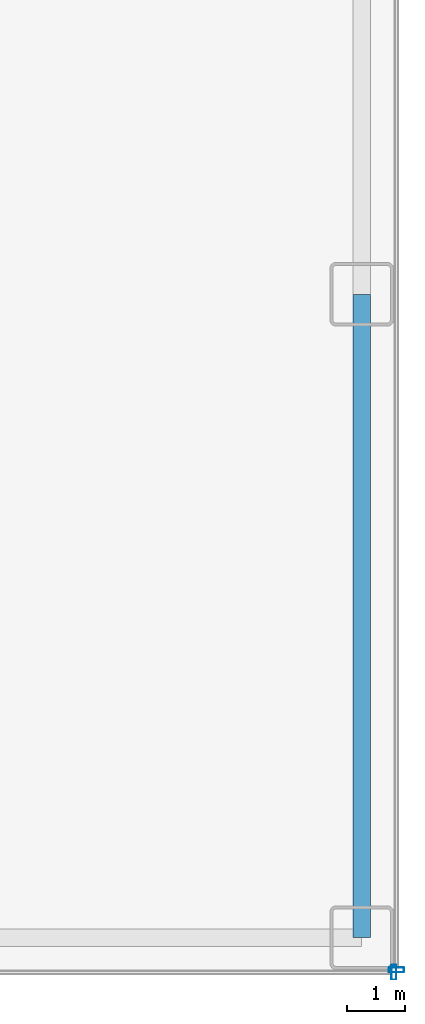
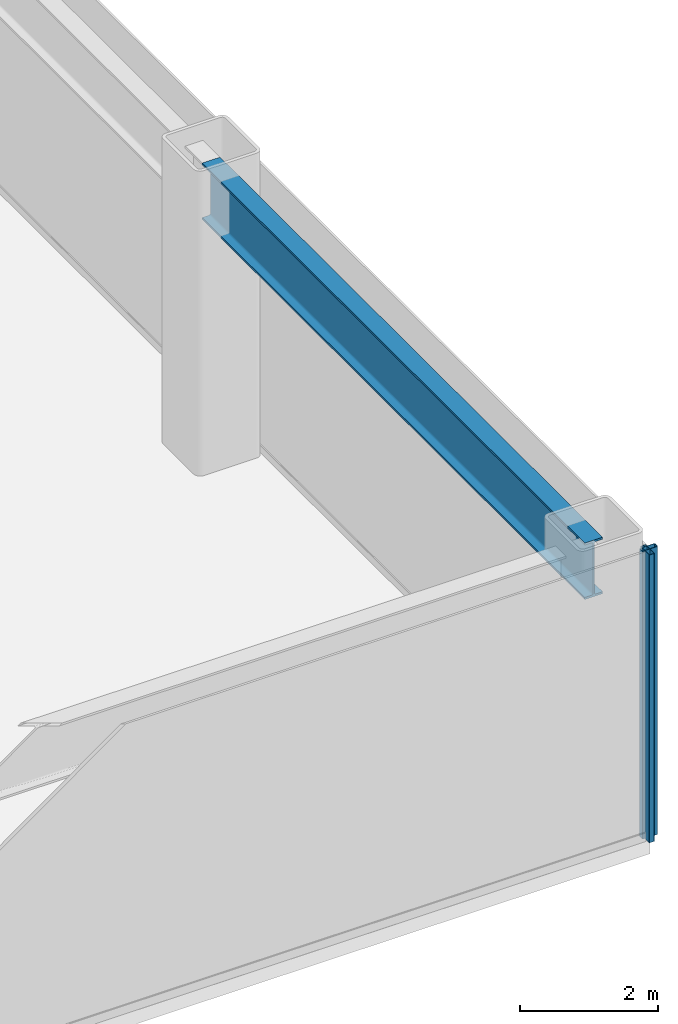
# One storey, part 12 of 24: 2 members, 1 beam, 2 elements without a shape of their own.
"""IFC4 building model written with IfcOpenShell, lengths in metres."""

import ifcopenshell
import ifcopenshell.guid

model = None  # the IFC model being written
_history = None  # IfcOwnerHistory: only IFC2X3 demands one
_inside = {}  # id of a spatial element -> (the spatial element, [elements in it])
_under = {}  # id of a project, library or spatial element -> (it, [spatial elements below it])
_declared = {}  # id of a project -> (the project, [libraries it declares])
_typed = {}  # id of a type object -> (the type object, [elements of that type])
_made_of = {}  # id of a material, layer set ... -> (it, [elements and type objects made of it])


def new_model(schema):
    """Start an empty IFC model of exactly this schema.

    Asked for "IFC4X3", IfcOpenShell would pick the latest addendum, in which some entities
    have other attributes; the version numbers below select the first issue.
    IFC2X3 requires an IfcOwnerHistory on every rooted entity: one is made here for all.
    """
    global model, _history
    if schema == "IFC4X3":
        model = ifcopenshell.file(schema_version=(4, 3, 0, 0))
    else:
        model = ifcopenshell.file(schema=schema)
    _inside.clear()
    _under.clear()
    _declared.clear()
    _typed.clear()
    _made_of.clear()
    _history = None
    if model.schema == "IFC2X3":
        org = make("IfcOrganization", Name="unknown")
        user = make(
            "IfcPersonAndOrganization",
            ThePerson=make("IfcPerson", FamilyName="unknown"),
            TheOrganization=org,
        )
        app = make(
            "IfcApplication",
            ApplicationDeveloper=org,
            Version="unknown",
            ApplicationFullName="unknown",
            ApplicationIdentifier="unknown",
        )
        _history = make(
            "IfcOwnerHistory",
            OwningUser=user,
            OwningApplication=app,
            ChangeAction="ADDED",
            CreationDate=0,
        )
    return model


def make(cls, **values):
    """One entity of the class cls with the attributes given. An attribute that is None is left unset."""
    return model.create_entity(
        cls, **{name: value for name, value in values.items() if value is not None}
    )


def rooted(cls, **values):
    """An entity with a GlobalId (a new one), such as an element, a storey or a relation."""
    return make(cls, GlobalId=ifcopenshell.guid.new(), OwnerHistory=_history, **values)


def si_unit(unit_type, name, prefix=None):
    """IfcSIUnit, for example si_unit("LENGTHUNIT", "METRE", prefix="MILLI")."""
    return make("IfcSIUnit", UnitType=unit_type, Prefix=prefix, Name=name)


def assignment(units):
    """IfcUnitAssignment: the units of a project."""
    return None if units is None else make("IfcUnitAssignment", Units=units)


def point(xyz):
    """IfcCartesianPoint."""
    return None if xyz is None else make("IfcCartesianPoint", Coordinates=xyz)


def direction(xyz):
    """IfcDirection."""
    return None if xyz is None else make("IfcDirection", DirectionRatios=xyz)


def frame(location, z_axis=None, x_axis=None):
    """IfcAxis2Placement3D, a coordinate frame: its origin and axes. An axis left out is left unset."""
    return make(
        "IfcAxis2Placement3D",
        Location=point(location),
        Axis=direction(z_axis),
        RefDirection=direction(x_axis),
    )


def frame_2d(location, x_axis=None):
    """IfcAxis2Placement2D, a coordinate frame in the plane: its origin and x axis."""
    return make(
        "IfcAxis2Placement2D", Location=point(location), RefDirection=direction(x_axis)
    )


def origin():
    """The frame at (0, 0, 0) with its axes left unset."""
    return frame((0.0, 0.0, 0.0))


def origin_2d():
    """The frame at (0, 0) in the plane with its x axis left unset."""
    return frame_2d((0.0, 0.0))


def place(relative_to, where):
    """IfcLocalPlacement: puts the frame where relative to a parent placement (None: the world)."""
    return make(
        "IfcLocalPlacement", PlacementRelTo=relative_to, RelativePlacement=where
    )


def context(
    kind, dimensions, precision=None, world=None, true_north=None, identifier=None
):
    """IfcGeometricRepresentationContext, for example the 3D "Model" context."""
    return make(
        "IfcGeometricRepresentationContext",
        ContextIdentifier=identifier,
        ContextType=kind,
        CoordinateSpaceDimension=dimensions,
        Precision=precision,
        WorldCoordinateSystem=world,
        TrueNorth=true_north,
    )


def subcontext(parent, identifier, kind, view, scale=None):
    """IfcGeometricRepresentationSubContext, for example "Body" below "Model"."""
    return make(
        "IfcGeometricRepresentationSubContext",
        ContextIdentifier=identifier,
        ContextType=kind,
        ParentContext=parent,
        TargetScale=scale,
        TargetView=view,
    )


def project(units=None, contexts=None):
    """IfcProject with its units and contexts."""
    return rooted(
        "IfcProject",
        Name="project",
        RepresentationContexts=contexts,
        UnitsInContext=assignment(units),
    )


def spatial(cls, under=None, at=None, **own):
    """A site, building, storey or space (cls), placed at a placement, below another one or the project."""
    s = rooted(cls, ObjectPlacement=at, **own)
    if under is not None:
        _under.setdefault(under.id(), (under, []))[1].append(s)
    return s


def profile(cls, at=None, kind="AREA", **sizes):
    """A parametric profile (cls). Its sizes go by their IFC names, for example OverallWidth=200.0."""
    return make(cls, ProfileType=kind, Position=at, **sizes)


def hollow_rectangle(**sizes):
    """IfcRectangleHollowProfileDef."""
    return profile("IfcRectangleHollowProfileDef", **sizes)


def i_section(**sizes):
    """IfcIShapeProfileDef."""
    return profile("IfcIShapeProfileDef", **sizes)


def extrude(swept, where, along, depth):
    """IfcExtrudedAreaSolid: the profile swept, set in the frame where, extruded along a direction by depth."""
    return make(
        "IfcExtrudedAreaSolid",
        SweptArea=swept,
        Position=where,
        ExtrudedDirection=direction(along),
        Depth=depth,
    )


def shape(context_of_items, identifier, shape_type, items):
    """IfcShapeRepresentation: the items that make up one representation, for example the "Body"."""
    return make(
        "IfcShapeRepresentation",
        ContextOfItems=context_of_items,
        RepresentationIdentifier=identifier,
        RepresentationType=shape_type,
        Items=items,
    )


def source(mapping_origin, context_of_items, identifier, shape_type, items):
    """IfcRepresentationMap: a shape defined once, which mapped items show again and again."""
    return make(
        "IfcRepresentationMap",
        MappingOrigin=mapping_origin,
        MappedRepresentation=shape(context_of_items, identifier, shape_type, items),
    )


def transform(
    local_origin,
    x_axis=None,
    y_axis=None,
    z_axis=None,
    scale=None,
    scale2=None,
    scale3=None,
    uniform=True,
):
    """IfcCartesianTransformationOperator3D, or its non-uniform kind. x_axis, y_axis, z_axis: its Axis1, 2, 3."""
    if uniform:
        return make(
            "IfcCartesianTransformationOperator3D",
            Axis1=direction(x_axis),
            Axis2=direction(y_axis),
            LocalOrigin=point(local_origin),
            Scale=scale,
            Axis3=direction(z_axis),
        )
    return make(
        "IfcCartesianTransformationOperator3DnonUniform",
        Axis1=direction(x_axis),
        Axis2=direction(y_axis),
        LocalOrigin=point(local_origin),
        Scale=scale,
        Axis3=direction(z_axis),
        Scale2=scale2,
        Scale3=scale3,
    )


def mapped(mapping_source, mapping_target):
    """IfcMappedItem: shows the shape of a source again, moved by a transform."""
    return make(
        "IfcMappedItem", MappingSource=mapping_source, MappingTarget=mapping_target
    )


def material(Name=None, Category=None):
    """IfcMaterial."""
    return make("IfcMaterial", Name=Name, Category=Category)


def layer(
    of_material, thickness, ventilated=None, Name=None, Category=None, Priority=None
):
    """IfcMaterialLayer: one layer of a wall or slab, of a material (None: an air gap)."""
    return make(
        "IfcMaterialLayer",
        Material=of_material,
        LayerThickness=thickness,
        IsVentilated=ventilated,
        Name=Name,
        Category=Category,
        Priority=Priority,
    )


def layer_set(layers, Name=None):
    """IfcMaterialLayerSet."""
    return make("IfcMaterialLayerSet", MaterialLayers=layers, LayerSetName=Name)


def material_profile(
    of_material, cross_section, Name=None, Category=None, Priority=None
):
    """IfcMaterialProfile: a cross section and its material."""
    return make(
        "IfcMaterialProfile",
        Name=Name,
        Material=of_material,
        Profile=cross_section,
        Priority=Priority,
        Category=Category,
    )


def profile_set(profiles, Name=None, composite=None):
    """IfcMaterialProfileSet."""
    return make(
        "IfcMaterialProfileSet",
        Name=Name,
        MaterialProfiles=profiles,
        CompositeProfile=composite,
    )


def made_of(thing, what):
    """Note that an element or type object is made of a material, layer set ...; save() writes the relation."""
    if what is not None:
        _made_of.setdefault(what.id(), (what, []))[1].append(thing)
    return thing


def type_object(cls, material=None, **own):
    """A type object (cls), such as IfcWallType, which elements share."""
    return made_of(rooted(cls, **own), material)


def element(
    cls,
    number,
    at=None,
    inside=None,
    cuts=None,
    type_object=None,
    material=None,
    context=None,
    identifier="Body",
    shape_type=None,
    held_by="IfcProductDefinitionShape",
    body=None,
    shapes=None,
    **own,
):
    """One element of the class cls, such as IfcWall. Its Tag is "e" and its number.

    at: its placement. inside: the storey or other place that contains it. cuts: it is an
    opening in that element (IfcRelVoidsElement). A single representation is given by context,
    identifier, shape_type and body (its items); several are given by shapes. held_by: the class
    of the entity that holds the representations. save() writes the other relations.
    """
    e = rooted(cls, Tag="e%d" % number, ObjectPlacement=at, **own)
    if body is not None:
        shapes = [shape(context, identifier, shape_type, body)]
    if shapes is not None:
        e.Representation = make(held_by, Representations=shapes)
    if inside is not None:
        _inside.setdefault(inside.id(), (inside, []))[1].append(e)
    if cuts is not None:
        rooted(
            "IfcRelVoidsElement", RelatingBuildingElement=cuts, RelatedOpeningElement=e
        )
    if type_object is not None:
        _typed.setdefault(type_object.id(), (type_object, []))[1].append(e)
    return made_of(e, material)


def aggregate(whole, parts):
    """IfcRelAggregates: a whole, such as a stair, and the parts it consists of."""
    return rooted("IfcRelAggregates", RelatingObject=whole, RelatedObjects=parts)


def save(model, path):
    """Write the relations noted so far, then the file.

    IfcRelAggregates (storeys below a building ...), IfcRelContainedInSpatialStructure (elements
    in a storey), IfcRelDefinesByType, IfcRelAssociatesMaterial and IfcRelDeclares: one each for
    every whole, place, type object, material and project.
    """
    for whole, parts in _under.values():
        aggregate(whole, parts)
    for where, things in _inside.values():
        rooted(
            "IfcRelContainedInSpatialStructure",
            RelatedElements=things,
            RelatingStructure=where,
        )
    for kind, things in _typed.values():
        rooted("IfcRelDefinesByType", RelatedObjects=things, RelatingType=kind)
    for what, things in _made_of.values():
        rooted("IfcRelAssociatesMaterial", RelatedObjects=things, RelatingMaterial=what)
    for by, libraries in _declared.values():
        rooted("IfcRelDeclares", RelatingContext=by, RelatedDefinitions=libraries)
    model.write(path)


model = new_model("IFC4")

# Units and contexts
model_context = context("Model", 3, precision=1e-05, world=origin(), true_north=direction((0.0, 1.0)))
body_context = subcontext(model_context, "Body", "Model", "MODEL_VIEW")
ifc_project = project(units=[si_unit("LENGTHUNIT", "METRE"), si_unit("AREAUNIT", "SQUARE_METRE"), si_unit("VOLUMEUNIT", "CUBIC_METRE"), si_unit("PLANEANGLEUNIT", "RADIAN"), si_unit("MASSUNIT", "GRAM", prefix="KILO")], contexts=[model_context])

# Site, building, storey
site_placement = place(None, origin())
site = spatial("IfcSite", under=ifc_project, at=site_placement, CompositionType="ELEMENT")
building_placement = place(site_placement, origin())
building = spatial("IfcBuilding", under=site, at=building_placement, Name="Nefas-Gora Pilgrimage Tower", CompositionType="ELEMENT")
storey_placement = place(building_placement, frame((0.0, 0.0, 11.39990234375)))
storey = spatial("IfcBuildingStorey", under=building, at=storey_placement, Name="L02", CompositionType="ELEMENT", Elevation=11.39990234375)

# Beam
ifc_material_1 = material(Name="Steel S460", Category="steel")
ifc_material_profile_1 = material_profile(ifc_material_1, i_section(OverallWidth=0.300048828125, OverallDepth=1.0, WebThickness=0.01904296875, FlangeThickness=0.035888671875, FilletRadius=0.030029296875, at=origin_2d()), Name="HEB 1000")
ifc_profile_set_1 = profile_set([ifc_material_profile_1], Name="Steel S460")
beam_type = type_object("IfcBeamType", Name="BM-POD-HEB1000E", PredefinedType="BEAM", material=ifc_profile_set_1)
shared_shape_1 = source(origin(), body_context, "Body", "SweptSolid", [
    extrude(i_section(OverallWidth=0.300048828125, OverallDepth=1.0, WebThickness=0.01904296875, FlangeThickness=0.035888671875, FilletRadius=0.030029296875, at=origin_2d()), origin(), (0.0, 0.0, 1.0), 11.10009765625),
])
beam_placement = place(storey_placement, frame((37.64990234375, -24.60009765625, 4.60009765625), z_axis=(0.0, 1.0, 0.0), x_axis=(-1.0, 0.0, 0.0)))
element("IfcBeam", 1, at=beam_placement, inside=storey, type_object=beam_type, Name="L02 PG-01E beam", PredefinedType="BEAM", context=body_context, shape_type="MappedRepresentation", body=[
    mapped(shared_shape_1, transform((0.0, 0.0, 0.0), x_axis=(1.0, 0.0, 0.0), y_axis=(0.0, 1.0, 0.0), z_axis=(0.0, 0.0, 1.0), scale=1.0)),
])

# Curtain wall, member
ifc_material_2 = material(Name="Dark ceramic-fritted solar-control aluminium-glass curtain wall", Category="aluminium")
ifc_layer = layer(ifc_material_2, 0.219970703125)
ifc_layer_set = layer_set([ifc_layer], Name="Dark ceramic-fritted solar-control aluminium-glass curtain wall")
curtain_wall_type = type_object("IfcCurtainWallType", Name="CW-SYS-1", PredefinedType="NOTDEFINED", material=ifc_layer_set)
curtain_wall_1_placement = place(storey_placement, origin())
curtain_wall_1 = element("IfcCurtainWall", 2, at=curtain_wall_1_placement, inside=storey, type_object=curtain_wall_type, Name="L02 Unitised Curtain Wall CW1", PredefinedType="NOTDEFINED")
ifc_material_3 = material(Name="Anodised architectural aluminium", Category="aluminium")
ifc_material_profile_2 = material_profile(ifc_material_3, hollow_rectangle(XDim=0.090087890625, YDim=0.260009765625, WallThickness=0.006103515625, InnerFilletRadius=0.006103515625, OuterFilletRadius=0.011962890625, at=origin_2d()), Name="ALU MULLION 90x260")
ifc_profile_set_2 = profile_set([ifc_material_profile_2], Name="Anodised architectural aluminium")
member_type = type_object("IfcMemberType", Name="CWM-MUL-1", PredefinedType="MULLION", material=ifc_profile_set_2)
shared_shape_2 = source(origin(), body_context, "Body", "SweptSolid", [
    extrude(hollow_rectangle(XDim=0.090087890625, YDim=0.260009765625, WallThickness=0.006103515625, InnerFilletRadius=0.006103515625, OuterFilletRadius=0.011962890625, at=origin_2d()), origin(), (0.0, 0.0, 1.0), 5.10009765625),
])
member_1_placement = place(storey_placement, frame((38.25, -25.155029296875, 0.0), z_axis=(0.0, 0.0, 1.0), x_axis=(0.0, 1.0, 0.0)))
member_1 = element("IfcMember", 3, at=member_1_placement, type_object=member_type, Name="CW1 Mullion 1", PredefinedType="MULLION", context=body_context, shape_type="MappedRepresentation", body=[
    mapped(shared_shape_2, transform((0.0, 0.0, 0.0), x_axis=(1.0, 0.0, 0.0), y_axis=(0.0, 1.0, 0.0), z_axis=(0.0, 0.0, 1.0), scale=1.0)),
])
aggregate(curtain_wall_1, [member_1])

curtain_wall_2_placement = place(storey_placement, origin())
curtain_wall_2 = element("IfcCurtainWall", 4, at=curtain_wall_2_placement, inside=storey, type_object=curtain_wall_type, Name="L02 Unitised Curtain Wall CW1", PredefinedType="NOTDEFINED")
member_2_placement = place(storey_placement, frame((38.205078125, -25.199951171875, 0.0), z_axis=(0.0, 0.0, 1.0), x_axis=(1.0, 0.0, 0.0)))
member_2 = element("IfcMember", 5, at=member_2_placement, type_object=member_type, Name="CW1 Mullion 3", PredefinedType="MULLION", context=body_context, shape_type="MappedRepresentation", body=[
    mapped(shared_shape_2, transform((0.0, 0.0, 0.0), x_axis=(1.0, 0.0, 0.0), y_axis=(0.0, 1.0, 0.0), z_axis=(0.0, 0.0, 1.0), scale=1.0)),
])
aggregate(curtain_wall_2, [member_2])

save(model, "model.ifc")
